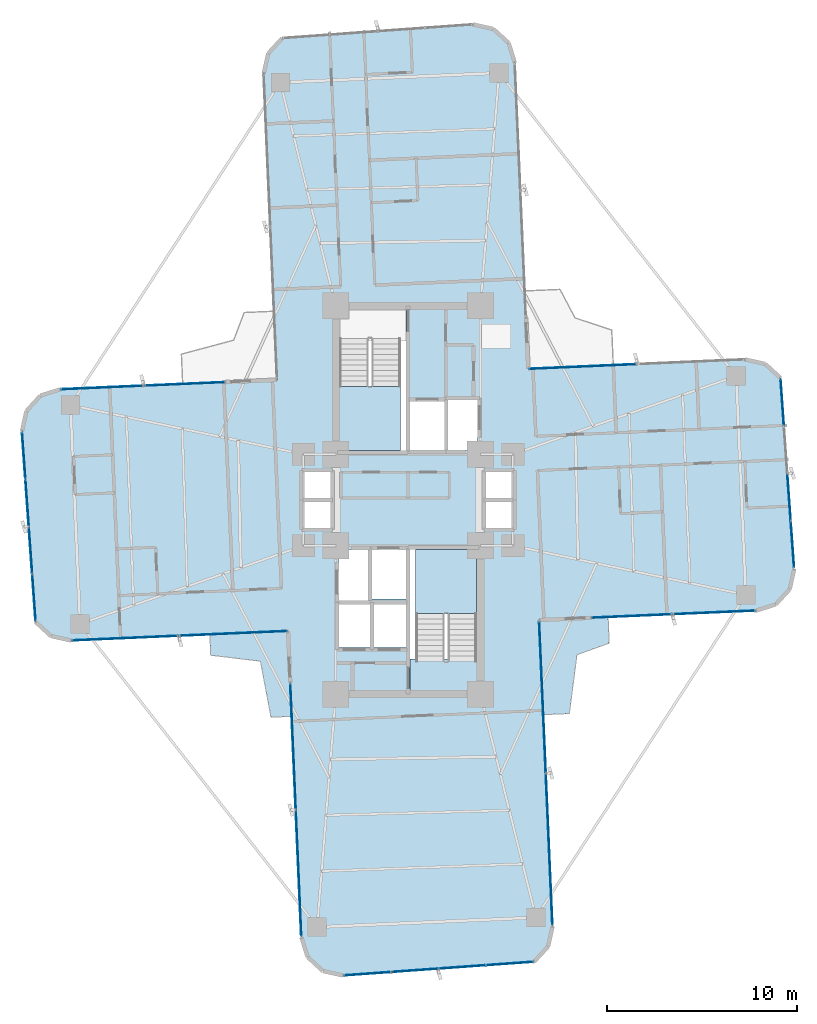
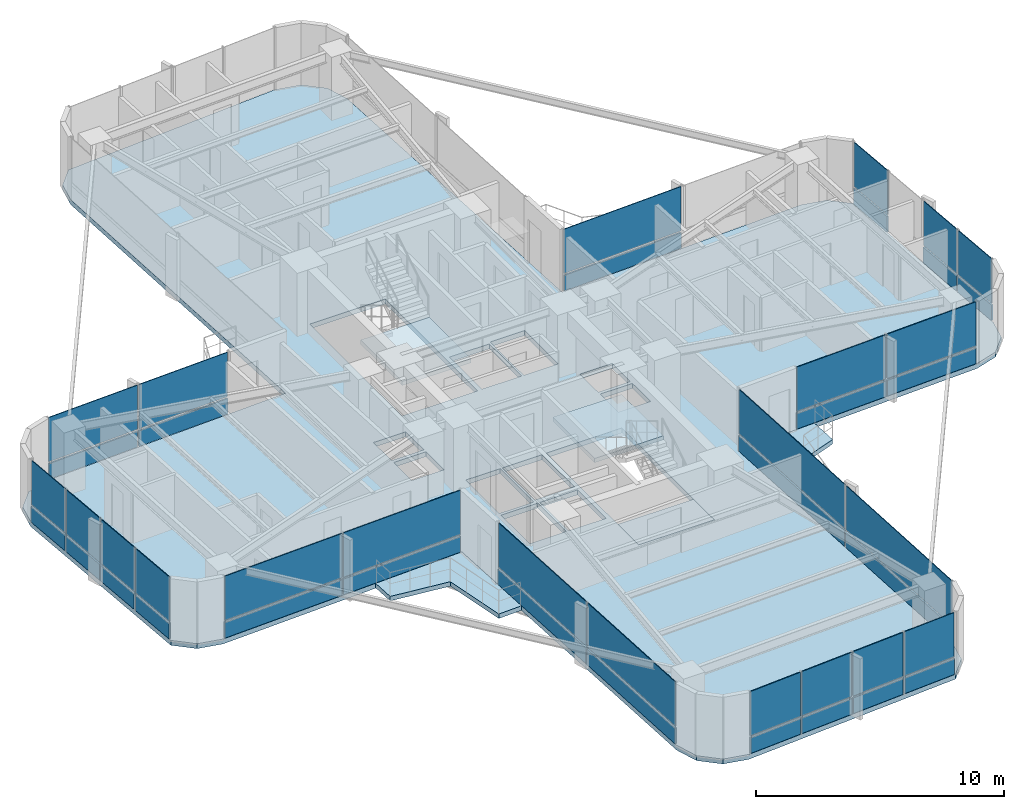
# One storey, part 21 of 26: 44 plates, 6 slabs, 11 elements without a shape of their own.
"""IFC4 building model written with IfcOpenShell, lengths in metres."""

from ifc_helpers import new_model, si_unit, direction, frame, origin, origin_2d, place, context, subcontext, project, spatial, polyline, rectangle, outline, extrude, source, transform, mapped, material, layer, layer_set, type_object, element, aggregate, save


model = new_model("IFC4")

# Units and contexts
model_context = context("Model", 3, precision=1e-05, world=origin(), true_north=direction((0.0, 1.0)))
body_context = subcontext(model_context, "Body", "Model", "MODEL_VIEW")
ifc_project = project(units=[si_unit("LENGTHUNIT", "METRE"), si_unit("AREAUNIT", "SQUARE_METRE"), si_unit("VOLUMEUNIT", "CUBIC_METRE"), si_unit("PLANEANGLEUNIT", "RADIAN"), si_unit("MASSUNIT", "GRAM", prefix="KILO")], contexts=[model_context])

# Site, building, storey
site_placement = place(None, origin())
site = spatial("IfcSite", under=ifc_project, at=site_placement, CompositionType="ELEMENT")
building_placement = place(site_placement, origin())
building = spatial("IfcBuilding", under=site, at=building_placement, Name="Sahyath Konkavel Grand Hotel", CompositionType="ELEMENT")
storey_placement = place(building_placement, frame((0.0, 0.0, 83.5)))
storey = spatial("IfcBuildingStorey", under=building, at=storey_placement, Name="L22", CompositionType="ELEMENT", Elevation=83.5)

# Slabs
ifc_material_1 = material(Name="Concrete C40/50", Category="concrete")
ifc_layer_1 = layer(ifc_material_1, 0.239990234375)
ifc_layer_set_1 = layer_set([ifc_layer_1], Name="Concrete C40/50")
slab_type_1 = type_object("IfcSlabType", Name="SLB-240", PredefinedType="FLOOR", material=ifc_layer_set_1)
slab_1_placement = place(storey_placement, frame((0.0, 0.0, -0.239990234375)))
element("IfcSlab", 1, at=slab_1_placement, inside=storey, type_object=slab_type_1, Name="L22 Structural Floor Slab", PredefinedType="FLOOR", context=body_context, shape_type="SweptSolid", body=[
    extrude(outline(polyline([(6.881591796875, -6.305908203125), (18.270751953125, -5.80859375), (19.3076171875, -5.481689453125), (20.0419921875, -4.68017578125), (20.277099609375, -3.618896484375), (19.5576171875, 6.4091796875), (18.75634765625, 7.1435546875), (17.695068359375, 7.37890625), (6.305908203125, 6.881591796875), (5.603515625, 22.96630859375), (5.276611328125, 24.0029296875), (4.47509765625, 24.7373046875), (3.4140625, 24.97265625), (-6.6142578125, 24.253173828125), (-7.3486328125, 23.451904296875), (-7.583984375, 22.390380859375), (-6.881591796875, 6.305908203125), (-18.270751953125, 5.80859375), (-19.3076171875, 5.481689453125), (-20.0419921875, 4.68017578125), (-20.277099609375, 3.618896484375), (-19.5576171875, -6.4091796875), (-18.75634765625, -7.1435546875), (-17.695068359375, -7.37890625), (-6.305908203125, -6.881591796875), (-5.603515625, -22.96630859375), (-5.276611328125, -24.0029296875), (-4.47509765625, -24.7373046875), (-3.4140625, -24.97265625), (6.6142578125, -24.253173828125), (7.3486328125, -23.451904296875), (7.583984375, -22.390380859375), (6.881591796875, -6.305908203125)]), holes=[polyline([(-3.6201171875, 2.580078125), (-0.10009765625, 2.580078125), (-0.10009765625, 10.02001953125), (-3.6201171875, 10.02001953125), (-3.6201171875, 2.580078125)]), polyline([(0.10009765625, -10.02001953125), (3.6201171875, -10.02001953125), (3.6201171875, -2.580078125), (0.10009765625, -2.580078125), (0.10009765625, -10.02001953125)]), polyline([(0.10009765625, 2.60009765625), (1.949951171875, 2.60009765625), (1.949951171875, 5.199951171875), (0.10009765625, 5.199951171875), (0.10009765625, 2.60009765625)]), polyline([(-1.949951171875, -5.199951171875), (-0.10009765625, -5.199951171875), (-0.10009765625, -2.60009765625), (-1.949951171875, -2.60009765625), (-1.949951171875, -5.199951171875)]), polyline([(2.050048828125, 2.60009765625), (3.64990234375, 2.60009765625), (3.64990234375, 5.300048828125), (2.050048828125, 5.300048828125), (2.050048828125, 2.60009765625)]), polyline([(-3.64990234375, -5.300048828125), (-2.050048828125, -5.300048828125), (-2.050048828125, -2.60009765625), (-3.64990234375, -2.60009765625), (-3.64990234375, -5.300048828125)]), polyline([(-3.64990234375, -7.75), (-1.949951171875, -7.75), (-1.949951171875, -5.449951171875), (-3.64990234375, -5.449951171875), (-3.64990234375, -7.75)]), polyline([(-1.85009765625, -7.75), (-0.10009765625, -7.75), (-0.10009765625, -5.449951171875), (-1.85009765625, -5.449951171875), (-1.85009765625, -7.75)]), polyline([(4.050048828125, 0.080078125), (5.550048828125, 0.080078125), (5.550048828125, 1.5400390625), (4.050048828125, 1.5400390625), (4.050048828125, 0.080078125)]), polyline([(4.050048828125, -1.5400390625), (5.550048828125, -1.5400390625), (5.550048828125, -0.080078125), (4.050048828125, -0.080078125), (4.050048828125, -1.5400390625)]), polyline([(-5.550048828125, 0.080078125), (-4.050048828125, 0.080078125), (-4.050048828125, 1.5400390625), (-5.550048828125, 1.5400390625), (-5.550048828125, 0.080078125)]), polyline([(-5.550048828125, -1.5400390625), (-4.050048828125, -1.5400390625), (-4.050048828125, -0.080078125), (-5.550048828125, -0.080078125), (-5.550048828125, -1.5400390625)])]), origin(), (0.0, 0.0, 1.0), 0.239990234375),
])
ifc_layer_2 = layer(ifc_material_1, 0.219970703125)
ifc_layer_set_2 = layer_set([ifc_layer_2], Name="Concrete C40/50")
slab_type_2 = type_object("IfcSlabType", Name="SLB-BALCONY-220", PredefinedType="FLOOR", material=ifc_layer_set_2)
slab_2_placement = place(storey_placement, frame((0.0, 0.0, -0.219970703125)))
element("IfcSlab", 2, at=slab_2_placement, inside=storey, type_object=slab_type_2, Name="L22 Winter-Garden Balcony SW", PredefinedType="FLOOR", context=body_context, shape_type="SweptSolid", body=[
    extrude(outline(polyline([(-6.305908203125, -6.881591796875), (-10.4169921875, -7.06103515625), (-10.369140625, -8.15380859375), (-7.757080078125, -8.46533203125), (-7.202880859375, -11.409912109375), (-6.110107421875, -11.3623046875), (-6.305908203125, -6.881591796875)])), origin(), (0.0, 0.0, 1.0), 0.219970703125),
])
slab_3_placement = place(storey_placement, frame((0.0, 0.0, -0.219970703125)))
element("IfcSlab", 3, at=slab_3_placement, inside=storey, type_object=slab_type_2, Name="L22 Winter-Garden Balcony SE", PredefinedType="FLOOR", context=body_context, shape_type="SweptSolid", body=[
    extrude(outline(polyline([(6.881591796875, -6.305908203125), (7.0986328125, -11.276123046875), (8.468994140625, -11.21630859375), (8.867919921875, -8.1259765625), (10.56298828125, -7.51806640625), (10.503173828125, -6.147705078125), (6.881591796875, -6.305908203125)])), origin(), (0.0, 0.0, 1.0), 0.219970703125),
])

# Stair, slab
stair_type = type_object("IfcStairType", Name="STR-ST16-335", PredefinedType="HALF_TURN_STAIR", material=ifc_material_1)
stair_1_placement = place(storey_placement, origin())
stair_1 = element("IfcStair", 4, at=stair_1_placement, inside=storey, type_object=stair_type, Name="L22 North Core Smokeproof Exit Stair ST-1", PredefinedType="HALF_TURN_STAIR")
ifc_layer_3 = layer(ifc_material_1, 0.199951171875)
ifc_layer_set_3 = layer_set([ifc_layer_3], Name="Concrete C40/50")
slab_type_3 = type_object("IfcSlabType", Name="SLB-STAIR-LND", PredefinedType="LANDING", material=ifc_layer_set_3)
slab_4_placement = place(storey_placement, frame((0.0, 0.0, 1.47509765625)))
slab_4 = element("IfcSlab", 5, at=slab_4_placement, type_object=slab_type_3, Name="ST-1 landing 1", PredefinedType="LANDING", context=body_context, shape_type="SweptSolid", body=[
    extrude(outline(polyline([(-3.60009765625, 5.9599609375), (-3.60009765625, 2.60009765625), (-0.39990234375, 2.60009765625), (-0.39990234375, 5.9599609375), (-3.60009765625, 5.9599609375)])), origin(), (0.0, 0.0, 1.0), 0.199951171875),
])
aggregate(stair_1, [slab_4])

stair_2_placement = place(storey_placement, origin())
stair_2 = element("IfcStair", 6, at=stair_2_placement, inside=storey, type_object=stair_type, Name="L22 South Core Smokeproof Exit Stair ST-2", PredefinedType="HALF_TURN_STAIR")
slab_5_placement = place(storey_placement, frame((0.0, 0.0, 1.47509765625)))
slab_5 = element("IfcSlab", 7, at=slab_5_placement, type_object=slab_type_3, Name="ST-2 landing 1", PredefinedType="LANDING", context=body_context, shape_type="SweptSolid", body=[
    extrude(outline(polyline([(3.60009765625, -5.9599609375), (3.60009765625, -2.60009765625), (0.39990234375, -2.60009765625), (0.39990234375, -5.9599609375), (3.60009765625, -5.9599609375)])), origin(), (0.0, 0.0, 1.0), 0.199951171875),
])
aggregate(stair_2, [slab_5])

# Slab
slab_6_placement = place(storey_placement, frame((0.0, 0.0, -0.199951171875)))
element("IfcSlab", 8, at=slab_6_placement, inside=storey, type_object=slab_type_3, Name="L22 Stair ST-2 Floor Landing Slab", PredefinedType="LANDING", context=body_context, shape_type="SweptSolid", body=[
    extrude(outline(polyline([(0.10009765625, -10.02001953125), (3.6201171875, -10.02001953125), (3.6201171875, -8.35009765625), (0.10009765625, -8.35009765625), (0.10009765625, -10.02001953125)])), origin(), (0.0, 0.0, 1.0), 0.199951171875),
])

# Curtain wall, plates
ifc_material_2 = material(Name="Anodised Bronze Aluminium & Low-E Glazing", Category="aluminium")
curtain_wall_type = type_object("IfcCurtainWallType", Name="CW-ZONE2", PredefinedType="NOTDEFINED", material=ifc_material_2)
curtain_wall_1_placement = place(storey_placement, origin())
curtain_wall_1 = element("IfcCurtainWall", 9, at=curtain_wall_1_placement, inside=storey, type_object=curtain_wall_type, Name="L22 Unitised Curtain Wall F0", PredefinedType="NOTDEFINED")
ifc_material_3 = material(Name="Warm Buff Sandstone Cladding", Category="masonry")
ifc_layer_4 = layer(ifc_material_3, 0.074951171875)
ifc_layer_set_4 = layer_set([ifc_layer_4], Name="Warm Buff Sandstone Cladding")
plate_type_1 = type_object("IfcPlateType", Name="PNL-SPANDREL-STONE", PredefinedType="SHEET", material=ifc_layer_set_4)
shared_shape_1 = source(origin(), body_context, "Body", "SweptSolid", [
    extrude(rectangle(XDim=4.22998046875, YDim=0.074951171875, at=origin_2d()), origin(), (0.0, 0.0, 1.0), 0.77001953125),
])
plate_1_placement = place(storey_placement, frame((11.77197265625, -6.09228515625, 0.0400390625), z_axis=(0.0, 0.0, 1.0), x_axis=(0.999048982732, 0.043601950678, 0.0)))
plate_1 = element("IfcPlate", 10, at=plate_1_placement, type_object=plate_type_1, Name="L22 Sandstone Relief Spandrel Panel F0-0", PredefinedType="SHEET", context=body_context, shape_type="MappedRepresentation", body=[
    mapped(shared_shape_1, transform((0.0, 0.0, 0.0), scale=1.0)),
])
plate_2_placement = place(storey_placement, frame((16.077880859375, -5.904296875, 0.0400390625), z_axis=(0.0, 0.0, 1.0), x_axis=(0.999048982732, 0.043601950678, 0.0)))
plate_2 = element("IfcPlate", 11, at=plate_2_placement, type_object=plate_type_1, Name="L22 Sandstone Relief Spandrel Panel F0-1", PredefinedType="SHEET", context=body_context, shape_type="MappedRepresentation", body=[
    mapped(shared_shape_1, transform((0.0, 0.0, 0.0), scale=1.0)),
])

curtain_wall_2_placement = place(storey_placement, origin())
curtain_wall_2 = element("IfcCurtainWall", 12, at=curtain_wall_2_placement, inside=storey, type_object=curtain_wall_type, Name="L22 Unitised Curtain Wall F16", PredefinedType="NOTDEFINED")
plate_3_placement = place(storey_placement, frame((-11.77197265625, 6.09228515625, 0.0400390625), z_axis=(0.0, 0.0, 1.0), x_axis=(-0.999048982732, -0.043601950678, 0.0)))
plate_3 = element("IfcPlate", 13, at=plate_3_placement, type_object=plate_type_1, Name="L22 Sandstone Relief Spandrel Panel F16-0", PredefinedType="SHEET", context=body_context, shape_type="MappedRepresentation", body=[
    mapped(shared_shape_1, transform((0.0, 0.0, 0.0), scale=1.0)),
])
plate_4_placement = place(storey_placement, frame((-16.077880859375, 5.904296875, 0.0400390625), z_axis=(0.0, 0.0, 1.0), x_axis=(-0.999048982732, -0.043601950678, 0.0)))
plate_4 = element("IfcPlate", 14, at=plate_4_placement, type_object=plate_type_1, Name="L22 Sandstone Relief Spandrel Panel F16-1", PredefinedType="SHEET", context=body_context, shape_type="MappedRepresentation", body=[
    mapped(shared_shape_1, transform((0.0, 0.0, 0.0), scale=1.0)),
])

curtain_wall_3_placement = place(storey_placement, origin())
curtain_wall_3 = element("IfcCurtainWall", 15, at=curtain_wall_3_placement, inside=storey, type_object=curtain_wall_type, Name="L22 Unitised Curtain Wall F4", PredefinedType="NOTDEFINED")
shared_shape_2 = source(origin(), body_context, "Body", "SweptSolid", [
    extrude(rectangle(XDim=2.41357421875, YDim=0.074951171875, at=origin_2d()), origin(), (0.0, 0.0, 1.0), 0.77001953125),
])
plate_5_placement = place(storey_placement, frame((20.18505859375, -2.335693359375, 0.0400390625), z_axis=(0.0, 0.0, 1.0), x_axis=(-0.071567078661, 0.997435789037, 0.0)))
plate_5 = element("IfcPlate", 16, at=plate_5_placement, type_object=plate_type_1, Name="L22 Sandstone Relief Spandrel Panel F4-0", PredefinedType="SHEET", context=body_context, shape_type="MappedRepresentation", body=[
    mapped(shared_shape_2, transform((0.0, 0.0, 0.0), scale=1.0)),
])
plate_6_placement = place(storey_placement, frame((20.006591796875, 0.151611328125, 0.0400390625), z_axis=(0.0, 0.0, 1.0), x_axis=(-0.071567078661, 0.997435789037, 0.0)))
plate_6 = element("IfcPlate", 17, at=plate_6_placement, type_object=plate_type_1, Name="L22 Sandstone Relief Spandrel Panel F4-1", PredefinedType="SHEET", context=body_context, shape_type="MappedRepresentation", body=[
    mapped(shared_shape_2, transform((0.0, 0.0, 0.0), scale=1.0)),
])
plate_7_placement = place(storey_placement, frame((19.64990234375, 5.125732421875, 0.0400390625), z_axis=(0.0, 0.0, 1.0), x_axis=(-0.071567078661, 0.997435789037, 0.0)))
plate_7 = element("IfcPlate", 18, at=plate_7_placement, type_object=plate_type_1, Name="L22 Sandstone Relief Spandrel Panel F4-3", PredefinedType="SHEET", context=body_context, shape_type="MappedRepresentation", body=[
    mapped(shared_shape_2, transform((0.0, 0.0, 0.0), scale=1.0)),
])

curtain_wall_4_placement = place(storey_placement, origin())
curtain_wall_4 = element("IfcCurtainWall", 19, at=curtain_wall_4_placement, inside=storey, type_object=curtain_wall_type, Name="L22 Unitised Curtain Wall F20", PredefinedType="NOTDEFINED")
plate_8_placement = place(storey_placement, frame((-20.18505859375, 2.335693359375, 0.0400390625), z_axis=(0.0, 0.0, 1.0), x_axis=(0.071567078661, -0.997435789037, 0.0)))
plate_8 = element("IfcPlate", 20, at=plate_8_placement, type_object=plate_type_1, Name="L22 Sandstone Relief Spandrel Panel F20-0", PredefinedType="SHEET", context=body_context, shape_type="MappedRepresentation", body=[
    mapped(shared_shape_2, transform((0.0, 0.0, 0.0), scale=1.0)),
])
plate_9_placement = place(storey_placement, frame((-20.006591796875, -0.151611328125, 0.0400390625), z_axis=(0.0, 0.0, 1.0), x_axis=(0.071567078661, -0.997435789037, 0.0)))
plate_9 = element("IfcPlate", 21, at=plate_9_placement, type_object=plate_type_1, Name="L22 Sandstone Relief Spandrel Panel F20-1", PredefinedType="SHEET", context=body_context, shape_type="MappedRepresentation", body=[
    mapped(shared_shape_2, transform((0.0, 0.0, 0.0), scale=1.0)),
])
plate_10_placement = place(storey_placement, frame((-19.828369140625, -2.638671875, 0.0400390625), z_axis=(0.0, 0.0, 1.0), x_axis=(0.071567078661, -0.997435789037, 0.0)))
plate_10 = element("IfcPlate", 22, at=plate_10_placement, type_object=plate_type_1, Name="L22 Sandstone Relief Spandrel Panel F20-2", PredefinedType="SHEET", context=body_context, shape_type="MappedRepresentation", body=[
    mapped(shared_shape_2, transform((0.0, 0.0, 0.0), scale=1.0)),
])
plate_11_placement = place(storey_placement, frame((-19.64990234375, -5.125732421875, 0.0400390625), z_axis=(0.0, 0.0, 1.0), x_axis=(0.071567078661, -0.997435789037, 0.0)))
plate_11 = element("IfcPlate", 23, at=plate_11_placement, type_object=plate_type_1, Name="L22 Sandstone Relief Spandrel Panel F20-3", PredefinedType="SHEET", context=body_context, shape_type="MappedRepresentation", body=[
    mapped(shared_shape_2, transform((0.0, 0.0, 0.0), scale=1.0)),
])

curtain_wall_5_placement = place(storey_placement, origin())
curtain_wall_5 = element("IfcCurtainWall", 24, at=curtain_wall_5_placement, inside=storey, type_object=curtain_wall_type, Name="L22 Unitised Curtain Wall F28", PredefinedType="NOTDEFINED")
plate_12_placement = place(storey_placement, frame((-2.130615234375, -24.880615234375, 0.0400390625), z_axis=(0.0, 0.0, 1.0), x_axis=(0.997435789037, 0.071567078661, 0.0)))
plate_12 = element("IfcPlate", 25, at=plate_12_placement, type_object=plate_type_1, Name="L22 Sandstone Relief Spandrel Panel F28-0", PredefinedType="SHEET", context=body_context, shape_type="MappedRepresentation", body=[
    mapped(shared_shape_2, transform((0.0, 0.0, 0.0), scale=1.0)),
])
plate_13_placement = place(storey_placement, frame((0.356689453125, -24.7021484375, 0.0400390625), z_axis=(0.0, 0.0, 1.0), x_axis=(0.997435789037, 0.071567078661, 0.0)))
plate_13 = element("IfcPlate", 26, at=plate_13_placement, type_object=plate_type_1, Name="L22 Sandstone Relief Spandrel Panel F28-1", PredefinedType="SHEET", context=body_context, shape_type="MappedRepresentation", body=[
    mapped(shared_shape_2, transform((0.0, 0.0, 0.0), scale=1.0)),
])
plate_14_placement = place(storey_placement, frame((2.84375, -24.523681640625, 0.0400390625), z_axis=(0.0, 0.0, 1.0), x_axis=(0.997435789037, 0.071567078661, 0.0)))
plate_14 = element("IfcPlate", 27, at=plate_14_placement, type_object=plate_type_1, Name="L22 Sandstone Relief Spandrel Panel F28-2", PredefinedType="SHEET", context=body_context, shape_type="MappedRepresentation", body=[
    mapped(shared_shape_2, transform((0.0, 0.0, 0.0), scale=1.0)),
])
plate_15_placement = place(storey_placement, frame((5.330810546875, -24.34521484375, 0.0400390625), z_axis=(0.0, 0.0, 1.0), x_axis=(0.997435789037, 0.071567078661, 0.0)))
plate_15 = element("IfcPlate", 28, at=plate_15_placement, type_object=plate_type_1, Name="L22 Sandstone Relief Spandrel Panel F28-3", PredefinedType="SHEET", context=body_context, shape_type="MappedRepresentation", body=[
    mapped(shared_shape_2, transform((0.0, 0.0, 0.0), scale=1.0)),
])

# Curtain wall, plate
curtain_wall_6_placement = place(storey_placement, origin())
curtain_wall_6 = element("IfcCurtainWall", 29, at=curtain_wall_6_placement, inside=storey, type_object=curtain_wall_type, Name="L22 Unitised Curtain Wall F7", PredefinedType="NOTDEFINED")
shared_shape_3 = source(origin(), body_context, "Body", "SweptSolid", [
    extrude(rectangle(XDim=5.580078125, YDim=0.074951171875, at=origin_2d()), origin(), (0.0, 0.0, 1.0), 0.77001953125),
])
plate_16_placement = place(storey_placement, frame((9.173095703125, 7.0068359375, 0.0400390625), z_axis=(0.0, 0.0, 1.0), x_axis=(-0.999048221582, -0.043619387365, 0.0)))
plate_16 = element("IfcPlate", 30, at=plate_16_placement, type_object=plate_type_1, Name="L22 Sandstone Relief Spandrel Panel F7-1", PredefinedType="SHEET", context=body_context, shape_type="MappedRepresentation", body=[
    mapped(shared_shape_3, transform((0.0, 0.0, 0.0), scale=1.0)),
])

# Curtain wall, plates
curtain_wall_7_placement = place(storey_placement, origin())
curtain_wall_7 = element("IfcCurtainWall", 31, at=curtain_wall_7_placement, inside=storey, type_object=curtain_wall_type, Name="L22 Unitised Curtain Wall F23", PredefinedType="NOTDEFINED")
plate_17_placement = place(storey_placement, frame((-14.82763671875, -7.25390625, 0.0400390625), z_axis=(0.0, 0.0, 1.0), x_axis=(0.999048221582, 0.043619387365, 0.0)))
plate_17 = element("IfcPlate", 32, at=plate_17_placement, type_object=plate_type_1, Name="L22 Sandstone Relief Spandrel Panel F23-0", PredefinedType="SHEET", context=body_context, shape_type="MappedRepresentation", body=[
    mapped(shared_shape_3, transform((0.0, 0.0, 0.0), scale=1.0)),
])
plate_18_placement = place(storey_placement, frame((-9.173095703125, -7.0068359375, 0.0400390625), z_axis=(0.0, 0.0, 1.0), x_axis=(0.999048221582, 0.043619387365, 0.0)))
plate_18 = element("IfcPlate", 33, at=plate_18_placement, type_object=plate_type_1, Name="L22 Sandstone Relief Spandrel Panel F23-1", PredefinedType="SHEET", context=body_context, shape_type="MappedRepresentation", body=[
    mapped(shared_shape_3, transform((0.0, 0.0, 0.0), scale=1.0)),
])

curtain_wall_8_placement = place(storey_placement, origin())
curtain_wall_8 = element("IfcCurtainWall", 34, at=curtain_wall_8_placement, inside=storey, type_object=curtain_wall_type, Name="L22 Unitised Curtain Wall F24", PredefinedType="NOTDEFINED")
shared_shape_4 = source(origin(), body_context, "Body", "SweptSolid", [
    extrude(rectangle(XDim=6.580078125, YDim=0.074951171875, at=origin_2d()), origin(), (0.0, 0.0, 1.0), 0.77001953125),
])
plate_19_placement = place(storey_placement, frame((-6.041015625, -12.94580078125, 0.0400390625), z_axis=(0.0, 0.0, 1.0), x_axis=(0.043619387365, -0.999048221582, 0.0)))
plate_19 = element("IfcPlate", 35, at=plate_19_placement, type_object=plate_type_1, Name="L22 Sandstone Relief Spandrel Panel F24-0", PredefinedType="SHEET", context=body_context, shape_type="MappedRepresentation", body=[
    mapped(shared_shape_4, transform((0.0, 0.0, 0.0), scale=1.0)),
])
plate_20_placement = place(storey_placement, frame((-5.75048828125, -19.599609375, 0.0400390625), z_axis=(0.0, 0.0, 1.0), x_axis=(0.043619387365, -0.999048221582, 0.0)))
plate_20 = element("IfcPlate", 36, at=plate_20_placement, type_object=plate_type_1, Name="L22 Sandstone Relief Spandrel Panel F24-1", PredefinedType="SHEET", context=body_context, shape_type="MappedRepresentation", body=[
    mapped(shared_shape_4, transform((0.0, 0.0, 0.0), scale=1.0)),
])

curtain_wall_9_placement = place(storey_placement, origin())
curtain_wall_9 = element("IfcCurtainWall", 37, at=curtain_wall_9_placement, inside=storey, type_object=curtain_wall_type, Name="L22 Unitised Curtain Wall F31", PredefinedType="NOTDEFINED")
shared_shape_5 = source(origin(), body_context, "Body", "SweptSolid", [
    extrude(rectangle(XDim=7.929931640625, YDim=0.074951171875, at=origin_2d()), origin(), (0.0, 0.0, 1.0), 0.77001953125),
])
plate_21_placement = place(storey_placement, frame((7.407470703125, -18.349365234375, 0.0400390625), z_axis=(0.0, 0.0, 1.0), x_axis=(-0.043619387365, 0.999048221582, 0.0)))
plate_21 = element("IfcPlate", 38, at=plate_21_placement, type_object=plate_type_1, Name="L22 Sandstone Relief Spandrel Panel F31-0", PredefinedType="SHEET", context=body_context, shape_type="MappedRepresentation", body=[
    mapped(shared_shape_5, transform((0.0, 0.0, 0.0), scale=1.0)),
])
plate_22_placement = place(storey_placement, frame((7.05810546875, -10.346923828125, 0.0400390625), z_axis=(0.0, 0.0, 1.0), x_axis=(-0.043619387365, 0.999048221582, 0.0)))
plate_22 = element("IfcPlate", 39, at=plate_22_placement, type_object=plate_type_1, Name="L22 Sandstone Relief Spandrel Panel F31-1", PredefinedType="SHEET", context=body_context, shape_type="MappedRepresentation", body=[
    mapped(shared_shape_5, transform((0.0, 0.0, 0.0), scale=1.0)),
])

# Plate
ifc_material_4 = material(Name="Low-E Solar Control Double Glazing", Category="glass")
ifc_layer_5 = layer(ifc_material_4, 0.035888671875)
ifc_layer_set_5 = layer_set([ifc_layer_5], Name="Low-E Solar Control Double Glazing")
plate_type_2 = type_object("IfcPlateType", Name="PNL-VISION-LOWE", PredefinedType="CURTAIN_PANEL", material=ifc_layer_set_5)
shared_shape_6 = source(origin(), body_context, "Body", "SweptSolid", [
    extrude(rectangle(XDim=4.22998046875, YDim=0.035888671875, at=origin_2d()), origin(), (0.0, 0.0, 1.0), 2.179931640625),
])
plate_23_placement = place(storey_placement, frame((11.77197265625, -6.09228515625, 0.89013671875), z_axis=(0.0, 0.0, 1.0), x_axis=(0.999048982732, 0.043601950678, 0.0)))
plate_23 = element("IfcPlate", 40, at=plate_23_placement, type_object=plate_type_2, Name="L22 Low-E Vision Glazing Panel F0-0", PredefinedType="CURTAIN_PANEL", context=body_context, shape_type="MappedRepresentation", body=[
    mapped(shared_shape_6, transform((0.0, 0.0, 0.0), scale=1.0)),
])

plate_24_placement = place(storey_placement, frame((16.077880859375, -5.904296875, 0.89013671875), z_axis=(0.0, 0.0, 1.0), x_axis=(0.999048982732, 0.043601950678, 0.0)))
plate_24 = element("IfcPlate", 41, at=plate_24_placement, type_object=plate_type_2, Name="L22 Low-E Vision Glazing Panel F0-1", PredefinedType="CURTAIN_PANEL", context=body_context, shape_type="MappedRepresentation", body=[
    mapped(shared_shape_6, transform((0.0, 0.0, 0.0), scale=1.0)),
])

aggregate(curtain_wall_1, [plate_1, plate_23, plate_2, plate_24])

plate_25_placement = place(storey_placement, frame((-11.77197265625, 6.09228515625, 0.89013671875), z_axis=(0.0, 0.0, 1.0), x_axis=(-0.999048982732, -0.043601950678, 0.0)))
plate_25 = element("IfcPlate", 42, at=plate_25_placement, type_object=plate_type_2, Name="L22 Low-E Vision Glazing Panel F16-0", PredefinedType="CURTAIN_PANEL", context=body_context, shape_type="MappedRepresentation", body=[
    mapped(shared_shape_6, transform((0.0, 0.0, 0.0), scale=1.0)),
])

plate_26_placement = place(storey_placement, frame((-16.077880859375, 5.904296875, 0.89013671875), z_axis=(0.0, 0.0, 1.0), x_axis=(-0.999048982732, -0.043601950678, 0.0)))
plate_26 = element("IfcPlate", 43, at=plate_26_placement, type_object=plate_type_2, Name="L22 Low-E Vision Glazing Panel F16-1", PredefinedType="CURTAIN_PANEL", context=body_context, shape_type="MappedRepresentation", body=[
    mapped(shared_shape_6, transform((0.0, 0.0, 0.0), scale=1.0)),
])

aggregate(curtain_wall_2, [plate_3, plate_25, plate_4, plate_26])

shared_shape_7 = source(origin(), body_context, "Body", "SweptSolid", [
    extrude(rectangle(XDim=2.41357421875, YDim=0.035888671875, at=origin_2d()), origin(), (0.0, 0.0, 1.0), 2.179931640625),
])
plate_27_placement = place(storey_placement, frame((20.18505859375, -2.335693359375, 0.89013671875), z_axis=(0.0, 0.0, 1.0), x_axis=(-0.071567078661, 0.997435789037, 0.0)))
plate_27 = element("IfcPlate", 44, at=plate_27_placement, type_object=plate_type_2, Name="L22 Low-E Vision Glazing Panel F4-0", PredefinedType="CURTAIN_PANEL", context=body_context, shape_type="MappedRepresentation", body=[
    mapped(shared_shape_7, transform((0.0, 0.0, 0.0), scale=1.0)),
])

plate_28_placement = place(storey_placement, frame((20.006591796875, 0.151611328125, 0.89013671875), z_axis=(0.0, 0.0, 1.0), x_axis=(-0.071567078661, 0.997435789037, 0.0)))
plate_28 = element("IfcPlate", 45, at=plate_28_placement, type_object=plate_type_2, Name="L22 Low-E Vision Glazing Panel F4-1", PredefinedType="CURTAIN_PANEL", context=body_context, shape_type="MappedRepresentation", body=[
    mapped(shared_shape_7, transform((0.0, 0.0, 0.0), scale=1.0)),
])

plate_29_placement = place(storey_placement, frame((19.64990234375, 5.125732421875, 0.89013671875), z_axis=(0.0, 0.0, 1.0), x_axis=(-0.071567078661, 0.997435789037, 0.0)))
plate_29 = element("IfcPlate", 46, at=plate_29_placement, type_object=plate_type_2, Name="L22 Low-E Vision Glazing Panel F4-3", PredefinedType="CURTAIN_PANEL", context=body_context, shape_type="MappedRepresentation", body=[
    mapped(shared_shape_7, transform((0.0, 0.0, 0.0), scale=1.0)),
])

aggregate(curtain_wall_3, [plate_5, plate_27, plate_6, plate_28, plate_7, plate_29])

plate_30_placement = place(storey_placement, frame((-20.18505859375, 2.335693359375, 0.89013671875), z_axis=(0.0, 0.0, 1.0), x_axis=(0.071567078661, -0.997435789037, 0.0)))
plate_30 = element("IfcPlate", 47, at=plate_30_placement, type_object=plate_type_2, Name="L22 Low-E Vision Glazing Panel F20-0", PredefinedType="CURTAIN_PANEL", context=body_context, shape_type="MappedRepresentation", body=[
    mapped(shared_shape_7, transform((0.0, 0.0, 0.0), scale=1.0)),
])

plate_31_placement = place(storey_placement, frame((-20.006591796875, -0.151611328125, 0.89013671875), z_axis=(0.0, 0.0, 1.0), x_axis=(0.071567078661, -0.997435789037, 0.0)))
plate_31 = element("IfcPlate", 48, at=plate_31_placement, type_object=plate_type_2, Name="L22 Low-E Vision Glazing Panel F20-1", PredefinedType="CURTAIN_PANEL", context=body_context, shape_type="MappedRepresentation", body=[
    mapped(shared_shape_7, transform((0.0, 0.0, 0.0), scale=1.0)),
])

plate_32_placement = place(storey_placement, frame((-19.828369140625, -2.638671875, 0.89013671875), z_axis=(0.0, 0.0, 1.0), x_axis=(0.071567078661, -0.997435789037, 0.0)))
plate_32 = element("IfcPlate", 49, at=plate_32_placement, type_object=plate_type_2, Name="L22 Low-E Vision Glazing Panel F20-2", PredefinedType="CURTAIN_PANEL", context=body_context, shape_type="MappedRepresentation", body=[
    mapped(shared_shape_7, transform((0.0, 0.0, 0.0), scale=1.0)),
])

plate_33_placement = place(storey_placement, frame((-19.64990234375, -5.125732421875, 0.89013671875), z_axis=(0.0, 0.0, 1.0), x_axis=(0.071567078661, -0.997435789037, 0.0)))
plate_33 = element("IfcPlate", 50, at=plate_33_placement, type_object=plate_type_2, Name="L22 Low-E Vision Glazing Panel F20-3", PredefinedType="CURTAIN_PANEL", context=body_context, shape_type="MappedRepresentation", body=[
    mapped(shared_shape_7, transform((0.0, 0.0, 0.0), scale=1.0)),
])

aggregate(curtain_wall_4, [plate_8, plate_30, plate_9, plate_31, plate_10, plate_32, plate_11, plate_33])

plate_34_placement = place(storey_placement, frame((-2.130615234375, -24.880615234375, 0.89013671875), z_axis=(0.0, 0.0, 1.0), x_axis=(0.997435789037, 0.071567078661, 0.0)))
plate_34 = element("IfcPlate", 51, at=plate_34_placement, type_object=plate_type_2, Name="L22 Low-E Vision Glazing Panel F28-0", PredefinedType="CURTAIN_PANEL", context=body_context, shape_type="MappedRepresentation", body=[
    mapped(shared_shape_7, transform((0.0, 0.0, 0.0), scale=1.0)),
])

plate_35_placement = place(storey_placement, frame((0.356689453125, -24.7021484375, 0.89013671875), z_axis=(0.0, 0.0, 1.0), x_axis=(0.997435789037, 0.071567078661, 0.0)))
plate_35 = element("IfcPlate", 52, at=plate_35_placement, type_object=plate_type_2, Name="L22 Low-E Vision Glazing Panel F28-1", PredefinedType="CURTAIN_PANEL", context=body_context, shape_type="MappedRepresentation", body=[
    mapped(shared_shape_7, transform((0.0, 0.0, 0.0), scale=1.0)),
])

plate_36_placement = place(storey_placement, frame((2.84375, -24.523681640625, 0.89013671875), z_axis=(0.0, 0.0, 1.0), x_axis=(0.997435789037, 0.071567078661, 0.0)))
plate_36 = element("IfcPlate", 53, at=plate_36_placement, type_object=plate_type_2, Name="L22 Low-E Vision Glazing Panel F28-2", PredefinedType="CURTAIN_PANEL", context=body_context, shape_type="MappedRepresentation", body=[
    mapped(shared_shape_7, transform((0.0, 0.0, 0.0), scale=1.0)),
])

plate_37_placement = place(storey_placement, frame((5.330810546875, -24.34521484375, 0.89013671875), z_axis=(0.0, 0.0, 1.0), x_axis=(0.997435789037, 0.071567078661, 0.0)))
plate_37 = element("IfcPlate", 54, at=plate_37_placement, type_object=plate_type_2, Name="L22 Low-E Vision Glazing Panel F28-3", PredefinedType="CURTAIN_PANEL", context=body_context, shape_type="MappedRepresentation", body=[
    mapped(shared_shape_7, transform((0.0, 0.0, 0.0), scale=1.0)),
])

aggregate(curtain_wall_5, [plate_12, plate_34, plate_13, plate_35, plate_14, plate_36, plate_15, plate_37])

shared_shape_8 = source(origin(), body_context, "Body", "SweptSolid", [
    extrude(rectangle(XDim=5.580078125, YDim=0.035888671875, at=origin_2d()), origin(), (0.0, 0.0, 1.0), 2.179931640625),
])
plate_38_placement = place(storey_placement, frame((9.173095703125, 7.0068359375, 0.89013671875), z_axis=(0.0, 0.0, 1.0), x_axis=(-0.999048221582, -0.043619387365, 0.0)))
plate_38 = element("IfcPlate", 55, at=plate_38_placement, type_object=plate_type_2, Name="L22 Low-E Vision Glazing Panel F7-1", PredefinedType="CURTAIN_PANEL", context=body_context, shape_type="MappedRepresentation", body=[
    mapped(shared_shape_8, transform((0.0, 0.0, 0.0), scale=1.0)),
])

aggregate(curtain_wall_6, [plate_16, plate_38])

plate_39_placement = place(storey_placement, frame((-14.82763671875, -7.25390625, 0.89013671875), z_axis=(0.0, 0.0, 1.0), x_axis=(0.999048221582, 0.043619387365, 0.0)))
plate_39 = element("IfcPlate", 56, at=plate_39_placement, type_object=plate_type_2, Name="L22 Low-E Vision Glazing Panel F23-0", PredefinedType="CURTAIN_PANEL", context=body_context, shape_type="MappedRepresentation", body=[
    mapped(shared_shape_8, transform((0.0, 0.0, 0.0), scale=1.0)),
])

plate_40_placement = place(storey_placement, frame((-9.173095703125, -7.0068359375, 0.89013671875), z_axis=(0.0, 0.0, 1.0), x_axis=(0.999048221582, 0.043619387365, 0.0)))
plate_40 = element("IfcPlate", 57, at=plate_40_placement, type_object=plate_type_2, Name="L22 Low-E Vision Glazing Panel F23-1", PredefinedType="CURTAIN_PANEL", context=body_context, shape_type="MappedRepresentation", body=[
    mapped(shared_shape_8, transform((0.0, 0.0, 0.0), scale=1.0)),
])

aggregate(curtain_wall_7, [plate_17, plate_39, plate_18, plate_40])

shared_shape_9 = source(origin(), body_context, "Body", "SweptSolid", [
    extrude(rectangle(XDim=6.580078125, YDim=0.035888671875, at=origin_2d()), origin(), (0.0, 0.0, 1.0), 2.179931640625),
])
plate_41_placement = place(storey_placement, frame((-6.041015625, -12.94580078125, 0.89013671875), z_axis=(0.0, 0.0, 1.0), x_axis=(0.043619387365, -0.999048221582, 0.0)))
plate_41 = element("IfcPlate", 58, at=plate_41_placement, type_object=plate_type_2, Name="L22 Low-E Vision Glazing Panel F24-0", PredefinedType="CURTAIN_PANEL", context=body_context, shape_type="MappedRepresentation", body=[
    mapped(shared_shape_9, transform((0.0, 0.0, 0.0), scale=1.0)),
])

plate_42_placement = place(storey_placement, frame((-5.75048828125, -19.599609375, 0.89013671875), z_axis=(0.0, 0.0, 1.0), x_axis=(0.043619387365, -0.999048221582, 0.0)))
plate_42 = element("IfcPlate", 59, at=plate_42_placement, type_object=plate_type_2, Name="L22 Low-E Vision Glazing Panel F24-1", PredefinedType="CURTAIN_PANEL", context=body_context, shape_type="MappedRepresentation", body=[
    mapped(shared_shape_9, transform((0.0, 0.0, 0.0), scale=1.0)),
])

aggregate(curtain_wall_8, [plate_19, plate_41, plate_20, plate_42])

shared_shape_10 = source(origin(), body_context, "Body", "SweptSolid", [
    extrude(rectangle(XDim=7.929931640625, YDim=0.035888671875, at=origin_2d()), origin(), (0.0, 0.0, 1.0), 2.179931640625),
])
plate_43_placement = place(storey_placement, frame((7.407470703125, -18.349365234375, 0.89013671875), z_axis=(0.0, 0.0, 1.0), x_axis=(-0.043619387365, 0.999048221582, 0.0)))
plate_43 = element("IfcPlate", 60, at=plate_43_placement, type_object=plate_type_2, Name="L22 Low-E Vision Glazing Panel F31-0", PredefinedType="CURTAIN_PANEL", context=body_context, shape_type="MappedRepresentation", body=[
    mapped(shared_shape_10, transform((0.0, 0.0, 0.0), scale=1.0)),
])

plate_44_placement = place(storey_placement, frame((7.05810546875, -10.346923828125, 0.89013671875), z_axis=(0.0, 0.0, 1.0), x_axis=(-0.043619387365, 0.999048221582, 0.0)))
plate_44 = element("IfcPlate", 61, at=plate_44_placement, type_object=plate_type_2, Name="L22 Low-E Vision Glazing Panel F31-1", PredefinedType="CURTAIN_PANEL", context=body_context, shape_type="MappedRepresentation", body=[
    mapped(shared_shape_10, transform((0.0, 0.0, 0.0), scale=1.0)),
])

aggregate(curtain_wall_9, [plate_21, plate_43, plate_22, plate_44])

save(model, "model.ifc")
